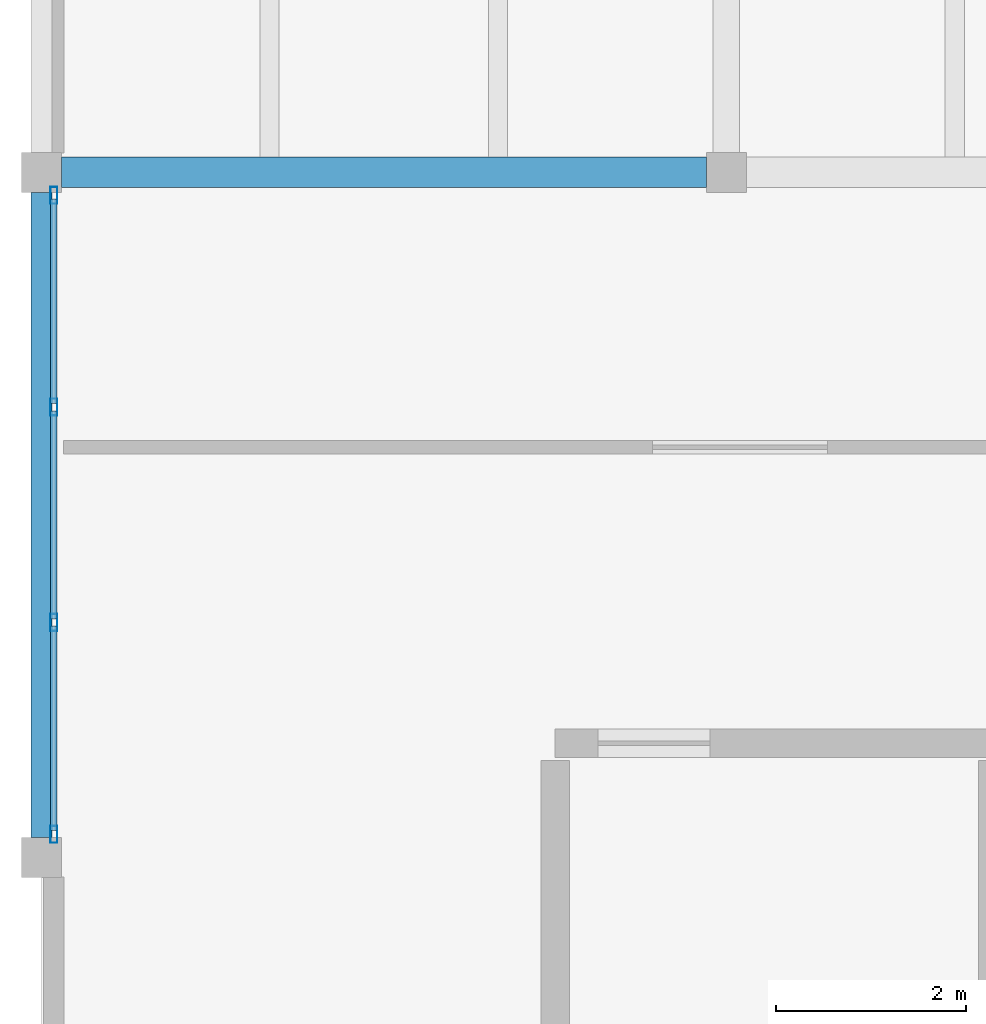
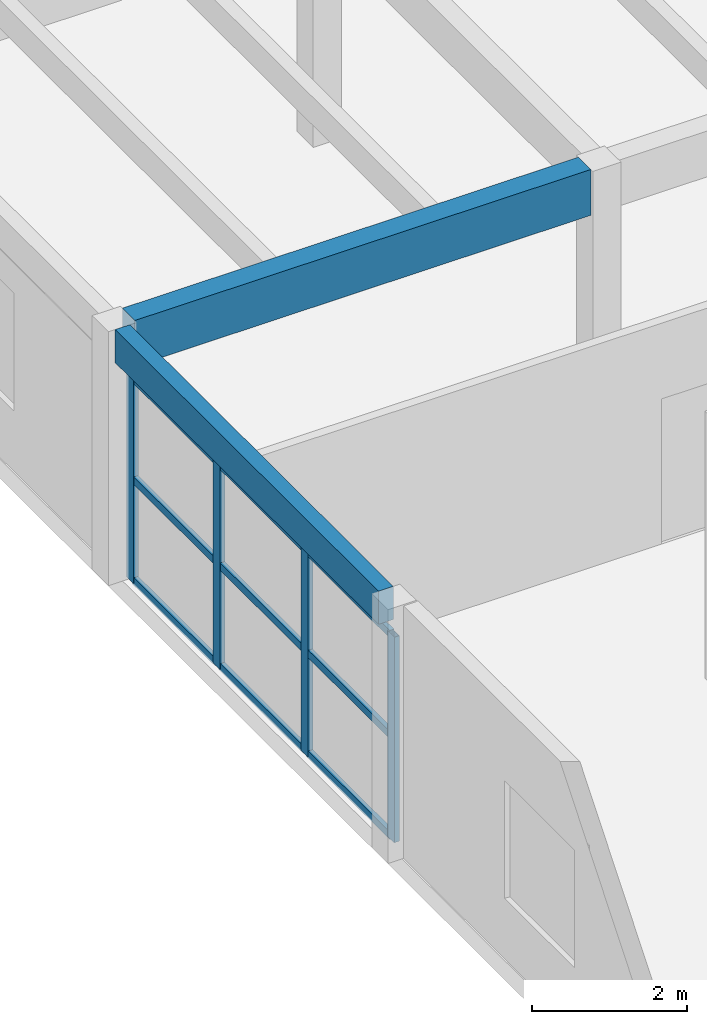
# One storey, part 8 of 68: 13 members, 2 beams, 1 element without a shape of its own.
"""IFC4 building model written with IfcOpenShell, lengths in metres."""

from ifc_helpers import new_model, si_unit, direction, frame, origin, origin_2d, place, context, subcontext, project, spatial, rectangle, hollow_rectangle, extrude, material, material_profile, profile_set, type_object, element, aggregate, save


model = new_model("IFC4")

# Units and contexts
model_context = context("Model", 3, precision=1e-05, world=origin(), true_north=direction((0.0, 1.0)))
body_context = subcontext(model_context, "Body", "Model", "MODEL_VIEW")
ifc_project = project(units=[si_unit("LENGTHUNIT", "METRE"), si_unit("AREAUNIT", "SQUARE_METRE"), si_unit("VOLUMEUNIT", "CUBIC_METRE"), si_unit("PLANEANGLEUNIT", "RADIAN"), si_unit("MASSUNIT", "GRAM", prefix="KILO")], contexts=[model_context])

# Site, building, storey
site_placement = place(None, origin())
site = spatial("IfcSite", under=ifc_project, at=site_placement, CompositionType="ELEMENT")
building_placement = place(site_placement, origin())
building = spatial("IfcBuilding", under=site, at=building_placement, Name="Bramvelor Terrace Health Centre", CompositionType="ELEMENT")
storey_placement = place(building_placement, frame((0.0, 0.0, 9.300048828125)))
storey = spatial("IfcBuildingStorey", under=building, at=storey_placement, Name="L03", CompositionType="ELEMENT", Elevation=9.300048828125)

# Beams
ifc_material_1 = material(Name="Glulam GL28h", Category="wood")
ifc_material_profile_1 = material_profile(ifc_material_1, rectangle(XDim=0.320068359375, YDim=0.719970703125, at=origin_2d()), Name="GL 320x720")
ifc_profile_set_1 = profile_set([ifc_material_profile_1], Name="Glulam GL28h")
beam_type_1 = type_object("IfcBeamType", Name="BM-GL-G720", PredefinedType="BEAM", material=ifc_profile_set_1)
beam_1_placement = place(storey_placement, frame((0.2099609375, 43.199951171875, 3.6298828125), z_axis=(1.0, 0.0, 0.0), x_axis=(0.0, 1.0, 0.0)))
element("IfcBeam", 1, at=beam_1_placement, inside=storey, type_object=beam_type_1, Name="L03 Floor Girder", PredefinedType="BEAM", context=body_context, shape_type="SweptSolid", body=[
    extrude(rectangle(XDim=0.320068359375, YDim=0.719970703125, at=origin_2d()), origin(), (0.0, 0.0, 1.0), 6.780029296875),
])
ifc_material_2 = material(Name="Glulam GL28h", Category="wood")
ifc_material_profile_2 = material_profile(ifc_material_2, rectangle(XDim=0.219970703125, YDim=0.52001953125, at=origin_2d()), Name="GL 220x520")
ifc_profile_set_2 = profile_set([ifc_material_profile_2], Name="Glulam GL28h")
beam_type_2 = type_object("IfcBeamType", Name="BM-GL-SP520-EXT", PredefinedType="SPANDREL", material=ifc_profile_set_2)
beam_2_placement = place(storey_placement, frame((0.0, 36.2099609375, 3.72998046875), z_axis=(0.0, 1.0, 0.0), x_axis=(-1.0, 0.0, 0.0)))
element("IfcBeam", 2, at=beam_2_placement, inside=storey, type_object=beam_type_2, Name="L03 Floor Girder", PredefinedType="SPANDREL", context=body_context, shape_type="SweptSolid", body=[
    extrude(rectangle(XDim=0.219970703125, YDim=0.52001953125, at=origin_2d()), origin(), (0.0, 0.0, 1.0), 6.780029296875),
])

# Curtain wall, members
ifc_material_3 = material(Name="Anodized aluminium and double low-E glass", Category="aluminium")
curtain_wall_type = type_object("IfcCurtainWallType", Name="CW-SYS-27", PredefinedType="NOTDEFINED", material=ifc_material_3)
curtain_wall_placement = place(storey_placement, origin())
curtain_wall = element("IfcCurtainWall", 3, at=curtain_wall_placement, inside=storey, type_object=curtain_wall_type, Name="L03 Unitized Curtain Wall 158", PredefinedType="NOTDEFINED")
ifc_material_4 = material(Name="Anodized aluminium 6063-T6", Category="aluminium")
ifc_material_profile_3 = material_profile(ifc_material_4, hollow_rectangle(XDim=0.074951171875, YDim=0.179931640625, WallThickness=0.00341796875, at=origin_2d()), Name="ALU-MUL 75x180x3.5")
ifc_profile_set_3 = profile_set([ifc_material_profile_3], Name="Anodized aluminium 6063-T6")
member_type_1 = type_object("IfcMemberType", Name="CW-MUL-65x180", PredefinedType="MULLION", material=ifc_profile_set_3)
member_1_placement = place(storey_placement, frame((0.1298828125, 36.242431640625, 0.0), z_axis=(0.0, 0.0, 1.0), x_axis=(-1.0, 0.0, 0.0)))
member_1 = element("IfcMember", 4, at=member_1_placement, type_object=member_type_1, Name="CW-27 mullion 1", PredefinedType="MULLION", context=body_context, shape_type="SweptSolid", body=[
    extrude(hollow_rectangle(XDim=0.074951171875, YDim=0.179931640625, WallThickness=0.00341796875, at=origin_2d()), origin(), (0.0, 0.0, 1.0), 3.22998046875),
])
member_2_placement = place(storey_placement, frame((0.1298828125, 38.46826171875, 0.0), z_axis=(0.0, 0.0, 1.0), x_axis=(-1.0, 0.0, 0.0)))
member_2 = element("IfcMember", 5, at=member_2_placement, type_object=member_type_1, Name="CW-27 mullion 2", PredefinedType="MULLION", context=body_context, shape_type="SweptSolid", body=[
    extrude(hollow_rectangle(XDim=0.074951171875, YDim=0.179931640625, WallThickness=0.00341796875, at=origin_2d()), origin(), (0.0, 0.0, 1.0), 3.22998046875),
])
member_3_placement = place(storey_placement, frame((0.1298828125, 40.731689453125, 0.0), z_axis=(0.0, 0.0, 1.0), x_axis=(-1.0, 0.0, 0.0)))
member_3 = element("IfcMember", 6, at=member_3_placement, type_object=member_type_1, Name="CW-27 mullion 3", PredefinedType="MULLION", context=body_context, shape_type="SweptSolid", body=[
    extrude(hollow_rectangle(XDim=0.074951171875, YDim=0.179931640625, WallThickness=0.00341796875, at=origin_2d()), origin(), (0.0, 0.0, 1.0), 3.22998046875),
])
member_4_placement = place(storey_placement, frame((0.1298828125, 42.95751953125, 0.0), z_axis=(0.0, 0.0, 1.0), x_axis=(-1.0, 0.0, 0.0)))
member_4 = element("IfcMember", 7, at=member_4_placement, type_object=member_type_1, Name="CW-27 mullion 4", PredefinedType="MULLION", context=body_context, shape_type="SweptSolid", body=[
    extrude(hollow_rectangle(XDim=0.074951171875, YDim=0.179931640625, WallThickness=0.00341796875, at=origin_2d()), origin(), (0.0, 0.0, 1.0), 3.22998046875),
])
ifc_material_5 = material(Name="Anodized aluminium 6063-T6", Category="aluminium")
ifc_material_profile_4 = material_profile(ifc_material_5, hollow_rectangle(XDim=0.06494140625, YDim=0.1201171875, WallThickness=0.0029296875, at=origin_2d()), Name="ALU-TRN 65x120x3.0")
ifc_profile_set_4 = profile_set([ifc_material_profile_4], Name="Anodized aluminium 6063-T6")
member_type_2 = type_object("IfcMemberType", Name="CW-TRN-65x150", PredefinedType="USERDEFINED", material=ifc_profile_set_4)
member_5_placement = place(storey_placement, frame((0.1298828125, 36.280029296875, 0.032470703125), z_axis=(0.0, 1.0, 0.0), x_axis=(-1.0, 0.0, 0.0)))
member_5 = element("IfcMember", 8, at=member_5_placement, type_object=member_type_2, Name="CW-27 transom 1.1", ObjectType="TRANSOM", PredefinedType="USERDEFINED", context=body_context, shape_type="SweptSolid", body=[
    extrude(hollow_rectangle(XDim=0.06494140625, YDim=0.1201171875, WallThickness=0.0029296875, at=origin_2d()), origin(), (0.0, 0.0, 1.0), 2.15087890625),
])
member_6_placement = place(storey_placement, frame((0.1298828125, 36.280029296875, 1.614990234375), z_axis=(0.0, 1.0, 0.0), x_axis=(-1.0, 0.0, 0.0)))
member_6 = element("IfcMember", 9, at=member_6_placement, type_object=member_type_2, Name="CW-27 transom 1.2", ObjectType="TRANSOM", PredefinedType="USERDEFINED", context=body_context, shape_type="SweptSolid", body=[
    extrude(hollow_rectangle(XDim=0.06494140625, YDim=0.1201171875, WallThickness=0.0029296875, at=origin_2d()), origin(), (0.0, 0.0, 1.0), 2.15087890625),
])
member_7_placement = place(storey_placement, frame((0.1298828125, 36.280029296875, 3.197509765625), z_axis=(0.0, 1.0, 0.0), x_axis=(-1.0, 0.0, 0.0)))
member_7 = element("IfcMember", 10, at=member_7_placement, type_object=member_type_2, Name="CW-27 transom 1.3", ObjectType="TRANSOM", PredefinedType="USERDEFINED", context=body_context, shape_type="SweptSolid", body=[
    extrude(hollow_rectangle(XDim=0.06494140625, YDim=0.1201171875, WallThickness=0.0029296875, at=origin_2d()), origin(), (0.0, 0.0, 1.0), 2.15087890625),
])
member_8_placement = place(storey_placement, frame((0.1298828125, 38.505859375, 0.032470703125), z_axis=(0.0, 1.0, 0.0), x_axis=(-1.0, 0.0, 0.0)))
member_8 = element("IfcMember", 11, at=member_8_placement, type_object=member_type_2, Name="CW-27 transom 2.1", ObjectType="TRANSOM", PredefinedType="USERDEFINED", context=body_context, shape_type="SweptSolid", body=[
    extrude(hollow_rectangle(XDim=0.06494140625, YDim=0.1201171875, WallThickness=0.0029296875, at=origin_2d()), origin(), (0.0, 0.0, 1.0), 2.188232421875),
])
member_9_placement = place(storey_placement, frame((0.1298828125, 38.505859375, 1.614990234375), z_axis=(0.0, 1.0, 0.0), x_axis=(-1.0, 0.0, 0.0)))
member_9 = element("IfcMember", 12, at=member_9_placement, type_object=member_type_2, Name="CW-27 transom 2.2", ObjectType="TRANSOM", PredefinedType="USERDEFINED", context=body_context, shape_type="SweptSolid", body=[
    extrude(hollow_rectangle(XDim=0.06494140625, YDim=0.1201171875, WallThickness=0.0029296875, at=origin_2d()), origin(), (0.0, 0.0, 1.0), 2.188232421875),
])
member_10_placement = place(storey_placement, frame((0.1298828125, 38.505859375, 3.197509765625), z_axis=(0.0, 1.0, 0.0), x_axis=(-1.0, 0.0, 0.0)))
member_10 = element("IfcMember", 13, at=member_10_placement, type_object=member_type_2, Name="CW-27 transom 2.3", ObjectType="TRANSOM", PredefinedType="USERDEFINED", context=body_context, shape_type="SweptSolid", body=[
    extrude(hollow_rectangle(XDim=0.06494140625, YDim=0.1201171875, WallThickness=0.0029296875, at=origin_2d()), origin(), (0.0, 0.0, 1.0), 2.188232421875),
])
member_11_placement = place(storey_placement, frame((0.1298828125, 40.769287109375, 0.032470703125), z_axis=(0.0, 1.0, 0.0), x_axis=(-1.0, 0.0, 0.0)))
member_11 = element("IfcMember", 14, at=member_11_placement, type_object=member_type_2, Name="CW-27 transom 3.1", ObjectType="TRANSOM", PredefinedType="USERDEFINED", context=body_context, shape_type="SweptSolid", body=[
    extrude(hollow_rectangle(XDim=0.06494140625, YDim=0.1201171875, WallThickness=0.0029296875, at=origin_2d()), origin(), (0.0, 0.0, 1.0), 2.150634765625),
])
member_12_placement = place(storey_placement, frame((0.1298828125, 40.769287109375, 1.614990234375), z_axis=(0.0, 1.0, 0.0), x_axis=(-1.0, 0.0, 0.0)))
member_12 = element("IfcMember", 15, at=member_12_placement, type_object=member_type_2, Name="CW-27 transom 3.2", ObjectType="TRANSOM", PredefinedType="USERDEFINED", context=body_context, shape_type="SweptSolid", body=[
    extrude(hollow_rectangle(XDim=0.06494140625, YDim=0.1201171875, WallThickness=0.0029296875, at=origin_2d()), origin(), (0.0, 0.0, 1.0), 2.150634765625),
])
member_13_placement = place(storey_placement, frame((0.1298828125, 40.769287109375, 3.197509765625), z_axis=(0.0, 1.0, 0.0), x_axis=(-1.0, 0.0, 0.0)))
member_13 = element("IfcMember", 16, at=member_13_placement, type_object=member_type_2, Name="CW-27 transom 3.3", ObjectType="TRANSOM", PredefinedType="USERDEFINED", context=body_context, shape_type="SweptSolid", body=[
    extrude(hollow_rectangle(XDim=0.06494140625, YDim=0.1201171875, WallThickness=0.0029296875, at=origin_2d()), origin(), (0.0, 0.0, 1.0), 2.150634765625),
])
aggregate(curtain_wall, [member_1, member_2, member_3, member_4, member_5, member_6, member_7, member_8, member_9, member_10, member_11, member_12, member_13])

save(model, "model.ifc")
